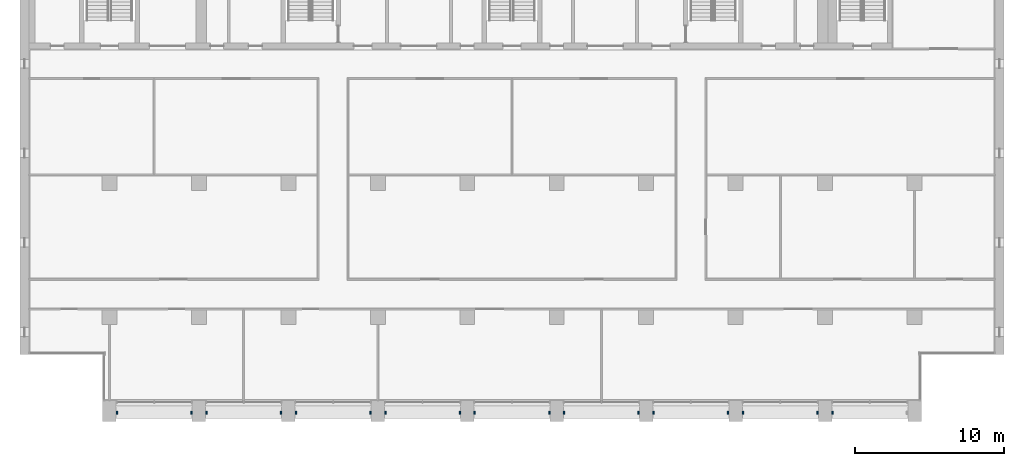
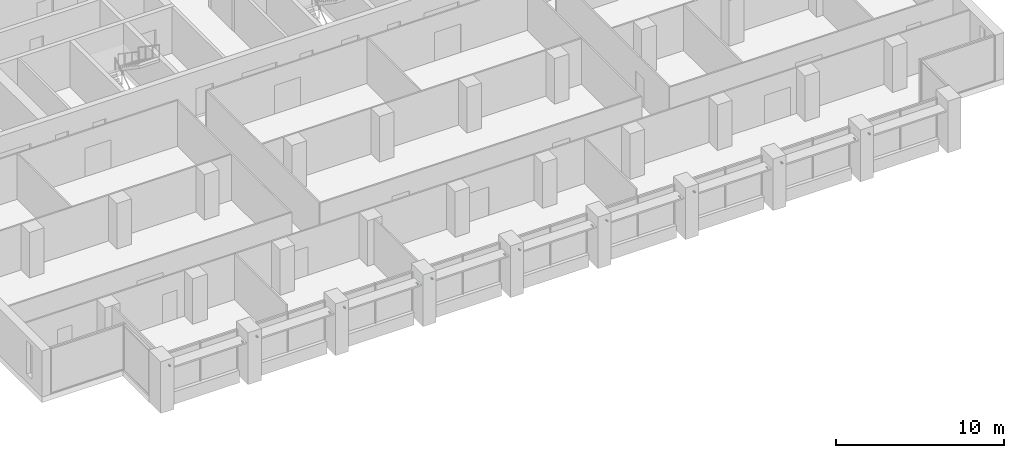
# One storey, part 14 of 17: 17 discrete accessories.
"""IFC4 building model written with IfcOpenShell, lengths in metres."""

from ifc_helpers import new_model, si_unit, direction, frame, origin, origin_2d, place, context, subcontext, project, spatial, rectangle, extrude, element, save


model = new_model("IFC4")

# Units and contexts
model_context = context("Model", 3, precision=1e-05, world=origin(), true_north=direction((0.0, 1.0)))
body_context = subcontext(model_context, "Body", "Model", "MODEL_VIEW")
ifc_project = project(units=[si_unit("LENGTHUNIT", "METRE"), si_unit("AREAUNIT", "SQUARE_METRE"), si_unit("VOLUMEUNIT", "CUBIC_METRE"), si_unit("PLANEANGLEUNIT", "RADIAN"), si_unit("MASSUNIT", "GRAM", prefix="KILO")], contexts=[model_context])

# Site, building, storey
site_placement = place(None, origin())
site = spatial("IfcSite", under=ifc_project, at=site_placement, CompositionType="ELEMENT")
building_placement = place(site_placement, origin())
building = spatial("IfcBuilding", under=site, at=building_placement, Name="Calvaro Tower", CompositionType="ELEMENT")
storey_placement = place(building_placement, frame((0.0, 0.0, 219.25)))
storey = spatial("IfcBuildingStorey", under=building, at=storey_placement, Name="L55", CompositionType="ELEMENT", Elevation=219.25)

# Discrete accessories
for number, where, z_axis, x_axis, name in (
    (1, (12.5, 3.60009765625, 2.349853515625), (0.0, 0.0, 1.0), (1.0, 0.0, 0.0), "Brise-soleil bracket"),
    (2, (17.5, 3.60009765625, 2.349853515625), (0.0, 0.0, 1.0), (1.0, 0.0, 0.0), "Brise-soleil bracket"),
    (3, (18.5, 3.60009765625, 2.349853515625), (0.0, 0.0, 1.0), (1.0, 0.0, 0.0), "Brise-soleil bracket"),
    (4, (23.5, 3.60009765625, 2.349853515625), (0.0, 0.0, 1.0), (1.0, 0.0, 0.0), "Brise-soleil bracket"),
    (5, (24.5, 3.60009765625, 2.349853515625), (0.0, 0.0, 1.0), (1.0, 0.0, 0.0), "Brise-soleil bracket"),
    (6, (29.5, 3.60009765625, 2.349853515625), (0.0, 0.0, 1.0), (1.0, 0.0, 0.0), "Brise-soleil bracket"),
    (7, (30.5, 3.60009765625, 2.349853515625), (0.0, 0.0, 1.0), (1.0, 0.0, 0.0), "Brise-soleil bracket"),
    (8, (35.5, 3.60009765625, 2.349853515625), (0.0, 0.0, 1.0), (1.0, 0.0, 0.0), "Brise-soleil bracket"),
    (9, (36.5, 3.60009765625, 2.349853515625), (0.0, 0.0, 1.0), (1.0, 0.0, 0.0), "Brise-soleil bracket"),
    (10, (41.5, 3.60009765625, 2.349853515625), (0.0, 0.0, 1.0), (1.0, 0.0, 0.0), "Brise-soleil bracket"),
    (11, (42.5, 3.60009765625, 2.349853515625), (0.0, 0.0, 1.0), (1.0, 0.0, 0.0), "Brise-soleil bracket"),
    (12, (47.5, 3.60009765625, 2.349853515625), (0.0, 0.0, 1.0), (1.0, 0.0, 0.0), "Brise-soleil bracket"),
    (13, (48.5, 3.60009765625, 2.349853515625), (0.0, 0.0, 1.0), (1.0, 0.0, 0.0), "Brise-soleil bracket"),
    (14, (53.5, 3.60009765625, 2.349853515625), (0.0, 0.0, 1.0), (1.0, 0.0, 0.0), "Brise-soleil bracket"),
    (15, (54.5, 3.60009765625, 2.349853515625), (0.0, 0.0, 1.0), (1.0, 0.0, 0.0), "Brise-soleil bracket"),
    (16, (59.5, 3.60009765625, 2.349853515625), (0.0, 0.0, 1.0), (1.0, 0.0, 0.0), "Brise-soleil bracket"),
    (17, (60.5, 3.60009765625, 2.349853515625), (0.0, 0.0, 1.0), (1.0, 0.0, 0.0), "Brise-soleil bracket"),
):
    element("IfcDiscreteAccessory", number, at=place(storey_placement, frame(where, z_axis=z_axis, x_axis=x_axis)), inside=storey, Name=name, PredefinedType="BRACKET", context=body_context, shape_type="SweptSolid", body=[
        extrude(rectangle(XDim=0.10009765625, YDim=0.199951171875, at=origin_2d()), origin(), (0.0, 0.0, 1.0), 0.10009765625),
    ])

save(model, "model.ifc")
